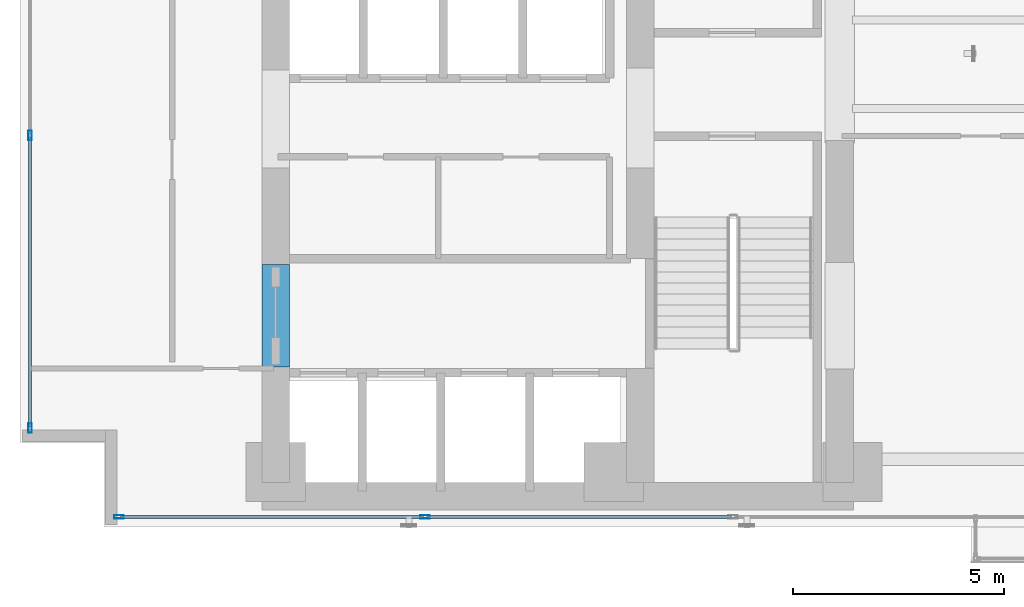
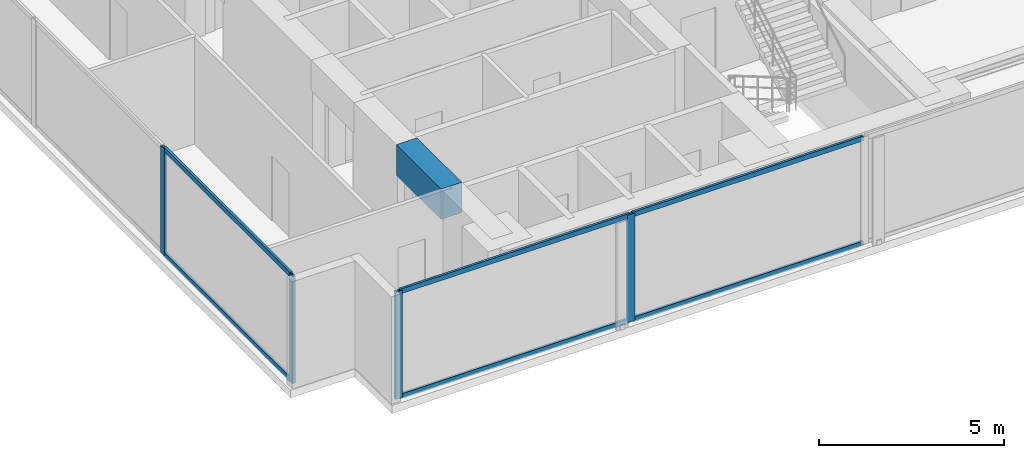
# One storey, part 2 of 26: 10 members, 1 beam, 2 elements without a shape of their own.
"""IFC4 building model written with IfcOpenShell, lengths in metres."""

from ifc_helpers import new_model, si_unit, direction, frame, origin, origin_with_axes, origin_2d, place, context, subcontext, project, spatial, rectangle, hollow_rectangle, extrude, source, transform, mapped, material, layer, layer_set, material_profile, profile_set, type_object, element, aggregate, save


model = new_model("IFC4")

# Units and contexts
model_context = context("Model", 3, precision=1e-05, world=origin(), true_north=direction((0.0, 1.0)))
body_context = subcontext(model_context, "Body", "Model", "MODEL_VIEW")
ifc_project = project(units=[si_unit("LENGTHUNIT", "METRE"), si_unit("AREAUNIT", "SQUARE_METRE"), si_unit("VOLUMEUNIT", "CUBIC_METRE"), si_unit("PLANEANGLEUNIT", "RADIAN"), si_unit("MASSUNIT", "GRAM", prefix="KILO")], contexts=[model_context])

# Site, building, storey
site_placement = place(None, origin())
site = spatial("IfcSite", under=ifc_project, at=site_placement, CompositionType="ELEMENT")
building_placement = place(site_placement, origin())
building = spatial("IfcBuilding", under=site, at=building_placement, Name="Kolvaren Waterfront Exchange", CompositionType="ELEMENT")
storey_placement = place(building_placement, frame((0.0, 0.0, 122.10009765625)))
storey = spatial("IfcBuildingStorey", under=building, at=storey_placement, Name="L31", CompositionType="ELEMENT", Elevation=122.10009765625)

# Beam
ifc_material_1 = material(Name="Concrete C60/75", Category="concrete")
ifc_material_profile_1 = material_profile(ifc_material_1, rectangle(XDim=0.64990234375, YDim=1.0, at=origin_2d()), Name="RC-CB-1000x650")
ifc_profile_set_1 = profile_set([ifc_material_profile_1], Name="Concrete C60/75")
beam_type = type_object("IfcBeamType", Name="STR-CB-1000", PredefinedType="SPANDREL", material=ifc_profile_set_1)
beam_placement = place(storey_placement, frame((7.449951171875, 7.389892578125, 3.039794921875), z_axis=(0.0, 1.0, 0.0), x_axis=(-1.0, 0.0, 0.0)))
element("IfcBeam", 1, at=beam_placement, inside=storey, type_object=beam_type, Name="L31 core coupling beam 3", PredefinedType="SPANDREL", context=body_context, shape_type="SweptSolid", body=[
    extrude(rectangle(XDim=0.64990234375, YDim=1.0, at=origin_2d()), origin(), (0.0, 0.0, 1.0), 2.420166015625),
])

# Curtain wall, members
ifc_material_2 = material(Name="Anodised bronze aluminium 6063-T6", Category="aluminium")
ifc_layer_1 = layer(ifc_material_2, 0.219970703125, Name="Anodised bronze aluminium 6063-T6")
ifc_layer_set_1 = layer_set([ifc_layer_1], Name="Anodised bronze aluminium 6063-T6")
curtain_wall_type_1 = type_object("IfcCurtainWallType", Name="ARC-CW-SYS1", PredefinedType="USERDEFINED", material=ifc_layer_set_1)
curtain_wall_1_placement = place(storey_placement, origin())
curtain_wall_1 = element("IfcCurtainWall", 2, at=curtain_wall_1_placement, inside=storey, type_object=curtain_wall_type_1, Name="L31 stick curtain wall CW1 (CW-L31-S)", ObjectType="STICK CURTAIN WALL", PredefinedType="USERDEFINED")
ifc_material_3 = material(Name="Anodised aluminium 6063-T6", Category="aluminium")
ifc_material_profile_2 = material_profile(ifc_material_3, hollow_rectangle(XDim=0.080078125, YDim=0.219970703125, WallThickness=0.0048828125, at=origin_2d()), Name="ALU-MUL-220x80x5")
ifc_profile_set_2 = profile_set([ifc_material_profile_2], Name="Anodised aluminium 6063-T6")
member_type_1 = type_object("IfcMemberType", Name="ARC-CWM-220", PredefinedType="MULLION", material=ifc_profile_set_2)
shared_shape_1 = source(origin_with_axes(), body_context, "Body", "SweptSolid", [
    extrude(hollow_rectangle(XDim=0.080078125, YDim=0.219970703125, WallThickness=0.0048828125, at=origin_2d()), origin(), (0.0, 0.0, 1.0), 3.539794921875),
])
member_1_placement = place(storey_placement, frame((3.739990234375, 3.840087890625, 0.0), z_axis=(0.0, 0.0, 1.0), x_axis=(0.0, 1.0, 0.0)))
member_1 = element("IfcMember", 3, at=member_1_placement, type_object=member_type_1, Name="CW1 mullion 1", PredefinedType="MULLION", context=body_context, shape_type="MappedRepresentation", body=[
    mapped(shared_shape_1, transform((0.0, 0.0, 0.0), x_axis=(1.0, 0.0, 0.0), y_axis=(0.0, 1.0, 0.0), z_axis=(0.0, 0.0, 1.0), scale=1.0)),
])
member_2_placement = place(storey_placement, frame((10.985595703125, 3.840087890625, 0.0), z_axis=(0.0, 0.0, 1.0), x_axis=(0.0, 1.0, 0.0)))
member_2 = element("IfcMember", 4, at=member_2_placement, type_object=member_type_1, Name="CW1 mullion 2", PredefinedType="MULLION", context=body_context, shape_type="MappedRepresentation", body=[
    mapped(shared_shape_1, transform((0.0, 0.0, 0.0), x_axis=(1.0, 0.0, 0.0), y_axis=(0.0, 1.0, 0.0), z_axis=(0.0, 0.0, 1.0), scale=1.0)),
])

ifc_layer_2 = layer(ifc_material_3, 0.219970703125, Name="Anodised aluminium 6063-T6")
ifc_layer_set_2 = layer_set([ifc_layer_2], Name="Anodised aluminium 6063-T6")
curtain_wall_type_2 = type_object("IfcCurtainWallType", Name="ARC-CW-SYS2", PredefinedType="USERDEFINED", material=ifc_layer_set_2)
curtain_wall_2_placement = place(storey_placement, origin())
curtain_wall_2 = element("IfcCurtainWall", 5, at=curtain_wall_2_placement, inside=storey, type_object=curtain_wall_type_2, Name="L31 stick curtain wall CW2 (CW-L31-W)", ObjectType="STICK CURTAIN WALL", PredefinedType="USERDEFINED")
member_3_placement = place(storey_placement, frame((1.639892578125, 5.93994140625, 0.0), z_axis=(0.0, 0.0, 1.0), x_axis=(-1.0, 0.0, 0.0)))
member_3 = element("IfcMember", 6, at=member_3_placement, type_object=member_type_1, Name="CW2 mullion 1", PredefinedType="MULLION", context=body_context, shape_type="MappedRepresentation", body=[
    mapped(shared_shape_1, transform((0.0, 0.0, 0.0), x_axis=(1.0, 0.0, 0.0), y_axis=(0.0, 1.0, 0.0), z_axis=(0.0, 0.0, 1.0), scale=1.0)),
])
member_4_placement = place(storey_placement, frame((1.639892578125, 12.86669921875, 0.0), z_axis=(0.0, 0.0, 1.0), x_axis=(-1.0, 0.0, 0.0)))
member_4 = element("IfcMember", 7, at=member_4_placement, type_object=member_type_1, Name="CW2 mullion 2", PredefinedType="MULLION", context=body_context, shape_type="MappedRepresentation", body=[
    mapped(shared_shape_1, transform((0.0, 0.0, 0.0), x_axis=(1.0, 0.0, 0.0), y_axis=(0.0, 1.0, 0.0), z_axis=(0.0, 0.0, 1.0), scale=1.0)),
])
ifc_material_profile_3 = material_profile(ifc_material_3, hollow_rectangle(XDim=0.074951171875, YDim=0.159912109375, WallThickness=0.00439453125, at=origin_2d()), Name="ALU-TRN-160x75x4.5")
ifc_profile_set_3 = profile_set([ifc_material_profile_3], Name="Anodised aluminium 6063-T6")
member_type_2 = type_object("IfcMemberType", Name="ARC-CWT-160", PredefinedType="USERDEFINED", material=ifc_profile_set_3)
shared_shape_2 = source(origin_with_axes(), body_context, "Body", "SweptSolid", [
    extrude(hollow_rectangle(XDim=0.074951171875, YDim=0.159912109375, WallThickness=0.00439453125, at=origin_2d()), origin(), (0.0, 0.0, 1.0), 6.8466796875),
])
member_5_placement = place(storey_placement, frame((1.639892578125, 5.97998046875, 0.037353515625), z_axis=(0.0, 1.0, 0.0), x_axis=(-1.0, 0.0, 0.0)))
member_5 = element("IfcMember", 8, at=member_5_placement, type_object=member_type_2, Name="CW2 transom 1.1", ObjectType="TRANSOM", PredefinedType="USERDEFINED", context=body_context, shape_type="MappedRepresentation", body=[
    mapped(shared_shape_2, transform((0.0, 0.0, 0.0), x_axis=(1.0, 0.0, 0.0), y_axis=(0.0, 1.0, 0.0), z_axis=(0.0, 0.0, 1.0), scale=1.0)),
])
member_6_placement = place(storey_placement, frame((1.639892578125, 5.97998046875, 3.50244140625), z_axis=(0.0, 1.0, 0.0), x_axis=(-1.0, 0.0, 0.0)))
member_6 = element("IfcMember", 9, at=member_6_placement, type_object=member_type_2, Name="CW2 transom 1.2", ObjectType="TRANSOM", PredefinedType="USERDEFINED", context=body_context, shape_type="MappedRepresentation", body=[
    mapped(shared_shape_2, transform((0.0, 0.0, 0.0), x_axis=(1.0, 0.0, 0.0), y_axis=(0.0, 1.0, 0.0), z_axis=(0.0, 0.0, 1.0), scale=1.0)),
])
aggregate(curtain_wall_2, [member_3, member_4, member_5, member_6])

# Member
shared_shape_3 = source(origin_with_axes(), body_context, "Body", "SweptSolid", [
    extrude(hollow_rectangle(XDim=0.074951171875, YDim=0.159912109375, WallThickness=0.00439453125, at=origin_2d()), origin(), (0.0, 0.0, 1.0), 7.165771484375),
])
member_7_placement = place(storey_placement, frame((3.780029296875, 3.840087890625, 0.037353515625), z_axis=(1.0, 0.0, 0.0), x_axis=(0.0, 1.0, 0.0)))
member_7 = element("IfcMember", 10, at=member_7_placement, type_object=member_type_2, Name="CW1 transom 1.1", ObjectType="TRANSOM", PredefinedType="USERDEFINED", context=body_context, shape_type="MappedRepresentation", body=[
    mapped(shared_shape_3, transform((0.0, 0.0, 0.0), x_axis=(1.0, 0.0, 0.0), y_axis=(0.0, 1.0, 0.0), z_axis=(0.0, 0.0, 1.0), scale=1.0)),
])

member_8_placement = place(storey_placement, frame((3.780029296875, 3.840087890625, 3.50244140625), z_axis=(1.0, 0.0, 0.0), x_axis=(0.0, 1.0, 0.0)))
member_8 = element("IfcMember", 11, at=member_8_placement, type_object=member_type_2, Name="CW1 transom 1.2", ObjectType="TRANSOM", PredefinedType="USERDEFINED", context=body_context, shape_type="MappedRepresentation", body=[
    mapped(shared_shape_3, transform((0.0, 0.0, 0.0), x_axis=(1.0, 0.0, 0.0), y_axis=(0.0, 1.0, 0.0), z_axis=(0.0, 0.0, 1.0), scale=1.0)),
])

shared_shape_4 = source(origin_with_axes(), body_context, "Body", "SweptSolid", [
    extrude(hollow_rectangle(XDim=0.074951171875, YDim=0.159912109375, WallThickness=0.00439453125, at=origin_2d()), origin(), (0.0, 0.0, 1.0), 7.205810546875),
])
member_9_placement = place(storey_placement, frame((11.025634765625, 3.840087890625, 0.037353515625), z_axis=(1.0, 0.0, 0.0), x_axis=(0.0, 1.0, 0.0)))
member_9 = element("IfcMember", 12, at=member_9_placement, type_object=member_type_2, Name="CW1 transom 2.1", ObjectType="TRANSOM", PredefinedType="USERDEFINED", context=body_context, shape_type="MappedRepresentation", body=[
    mapped(shared_shape_4, transform((0.0, 0.0, 0.0), x_axis=(1.0, 0.0, 0.0), y_axis=(0.0, 1.0, 0.0), z_axis=(0.0, 0.0, 1.0), scale=1.0)),
])

member_10_placement = place(storey_placement, frame((11.025634765625, 3.840087890625, 3.50244140625), z_axis=(1.0, 0.0, 0.0), x_axis=(0.0, 1.0, 0.0)))
member_10 = element("IfcMember", 13, at=member_10_placement, type_object=member_type_2, Name="CW1 transom 2.2", ObjectType="TRANSOM", PredefinedType="USERDEFINED", context=body_context, shape_type="MappedRepresentation", body=[
    mapped(shared_shape_4, transform((0.0, 0.0, 0.0), x_axis=(1.0, 0.0, 0.0), y_axis=(0.0, 1.0, 0.0), z_axis=(0.0, 0.0, 1.0), scale=1.0)),
])

aggregate(curtain_wall_1, [member_1, member_2, member_7, member_8, member_9, member_10])

save(model, "model.ifc")
